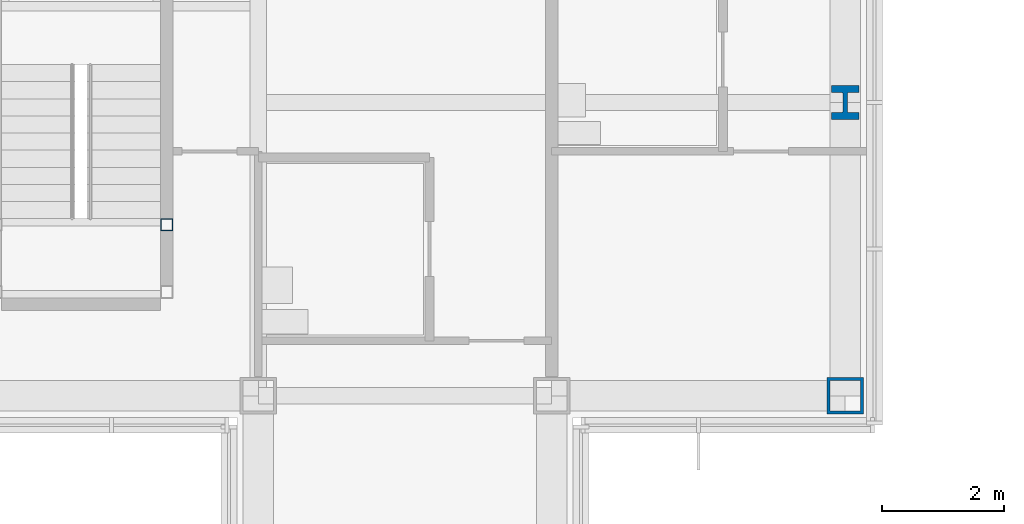
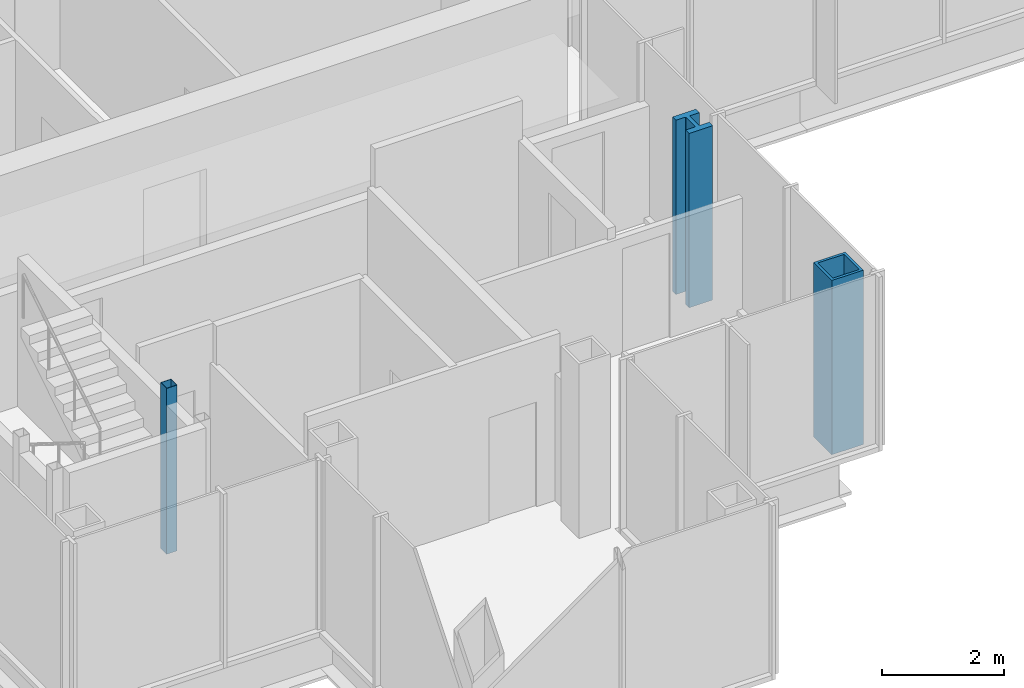
# One storey, part 2 of 15: 3 columns.
"""IFC4 building model written with IfcOpenShell, lengths in metres."""

from ifc_helpers import new_model, si_unit, direction, frame, origin, origin_2d, place, context, subcontext, project, spatial, hollow_rectangle, i_section, extrude, material, material_profile, profile_set, type_object, element, save


model = new_model("IFC4")

# Units and contexts
model_context = context("Model", 3, precision=1e-05, world=origin(), true_north=direction((0.0, 1.0)))
body_context = subcontext(model_context, "Body", "Model", "MODEL_VIEW")
ifc_project = project(units=[si_unit("LENGTHUNIT", "METRE"), si_unit("AREAUNIT", "SQUARE_METRE"), si_unit("VOLUMEUNIT", "CUBIC_METRE"), si_unit("PLANEANGLEUNIT", "RADIAN"), si_unit("MASSUNIT", "GRAM", prefix="KILO")], contexts=[model_context])

# Site, building, storey
site_placement = place(None, origin())
site = spatial("IfcSite", under=ifc_project, at=site_placement, CompositionType="ELEMENT")
building_placement = place(site_placement, origin())
building = spatial("IfcBuilding", under=site, at=building_placement, Name="Kvirike Care Tower", CompositionType="ELEMENT")
storey_placement = place(building_placement, frame((0.0, 0.0, 233.0)))
storey = spatial("IfcBuildingStorey", under=building, at=storey_placement, Name="L64", CompositionType="ELEMENT", Elevation=233.0)

# Columns
ifc_material_1 = material(Name="Steel S460", Category="steel")
ifc_material_profile_1 = material_profile(ifc_material_1, hollow_rectangle(XDim=0.60009765625, YDim=0.60009765625, WallThickness=0.050048828125, at=origin_2d()), Name="BX 600x600x50")
ifc_profile_set_1 = profile_set([ifc_material_profile_1], Name="Steel S460")
column_type_1 = type_object("IfcColumnType", Name="COLUMN BX 600x600x50", PredefinedType="COLUMN", material=ifc_profile_set_1)
column_1_placement = place(storey_placement, frame((28.800048828125, 19.199951171875, 0.0), z_axis=(0.0, 0.0, 1.0), x_axis=(0.0, 1.0, 0.0)))
element("IfcColumn", 1, at=column_1_placement, inside=storey, type_object=column_type_1, Name="Column E9 L64", PredefinedType="COLUMN", context=body_context, shape_type="SweptSolid", body=[
    extrude(hollow_rectangle(XDim=0.60009765625, YDim=0.60009765625, WallThickness=0.050048828125, at=origin_2d()), origin(), (0.0, 0.0, 1.0), 3.5),
])
ifc_material_2 = material(Name="Steel S460", Category="steel")
ifc_material_profile_2 = material_profile(ifc_material_2, i_section(OverallWidth=0.447998046875, OverallDepth=0.550048828125, WebThickness=0.072021484375, FlangeThickness=0.114990234375, FilletRadius=0.014892578125, at=origin_2d()), Name="HD 400x990")
ifc_profile_set_2 = profile_set([ifc_material_profile_2], Name="Steel S460")
column_type_2 = type_object("IfcColumnType", Name="COLUMN HD 400x990", PredefinedType="COLUMN", material=ifc_profile_set_2)
column_2_placement = place(storey_placement, frame((28.800048828125, 24.0, 0.0), z_axis=(0.0, 0.0, 1.0), x_axis=(1.0, 0.0, 0.0)))
element("IfcColumn", 2, at=column_2_placement, inside=storey, type_object=column_type_2, Name="Column F9 L64", PredefinedType="COLUMN", context=body_context, shape_type="SweptSolid", body=[
    extrude(i_section(OverallWidth=0.447998046875, OverallDepth=0.550048828125, WebThickness=0.072021484375, FlangeThickness=0.114990234375, FilletRadius=0.014892578125, at=origin_2d()), origin(), (0.0, 0.0, 1.0), 3.5),
])
ifc_material_3 = material(Name="Steel S460", Category="steel")
ifc_material_profile_3 = material_profile(ifc_material_3, hollow_rectangle(XDim=0.199951171875, YDim=0.199951171875, WallThickness=0.008056640625, at=origin_2d()), Name="SHS 200x200x8")
ifc_profile_set_3 = profile_set([ifc_material_profile_3], Name="Steel S460")
column_type_3 = type_object("IfcColumnType", Name="STAIR POST SHS 200x200x8", PredefinedType="COLUMN", material=ifc_profile_set_3)
column_3_placement = place(storey_placement, frame((17.699951171875, 22.0, 0.0), z_axis=(0.0, 0.0, 1.0), x_axis=(1.0, 0.0, 0.0)))
element("IfcColumn", 3, at=column_3_placement, inside=storey, type_object=column_type_3, Name="Stair 5 post 4 L64", PredefinedType="COLUMN", context=body_context, shape_type="SweptSolid", body=[
    extrude(hollow_rectangle(XDim=0.199951171875, YDim=0.199951171875, WallThickness=0.008056640625, at=origin_2d()), origin(), (0.0, 0.0, 1.0), 3.330078125),
])

save(model, "model.ifc")
